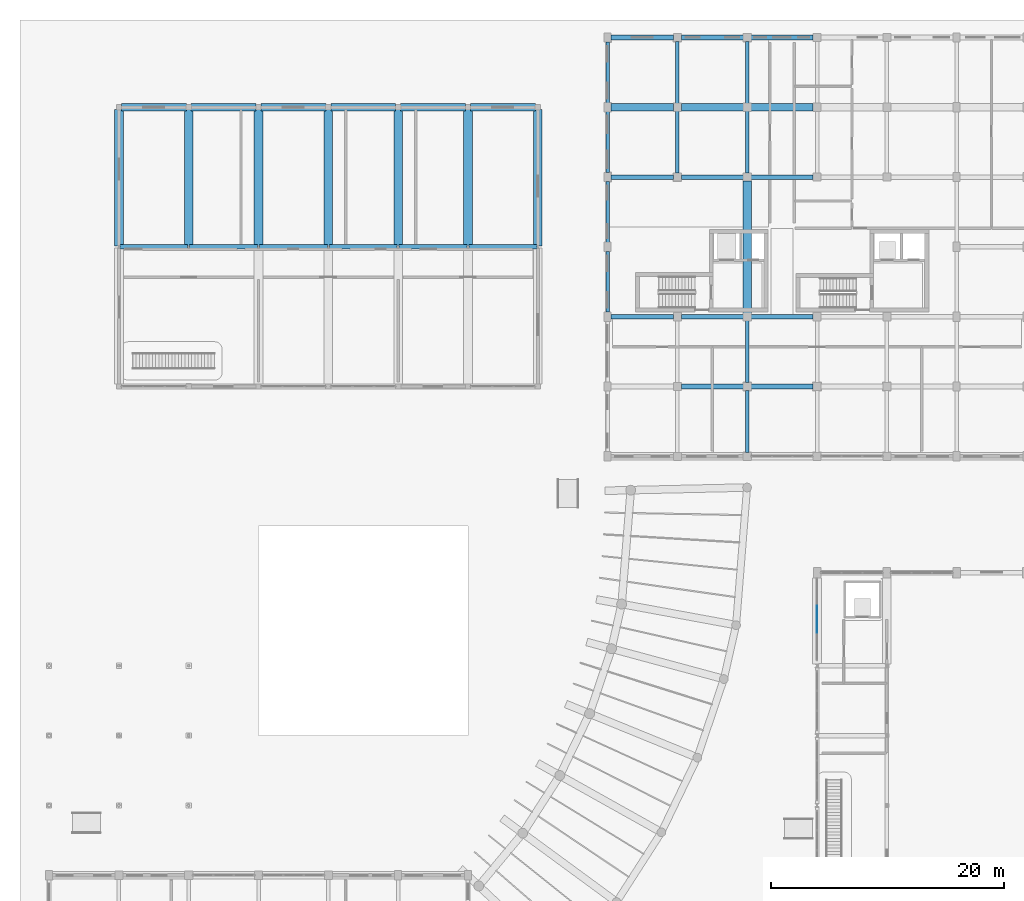
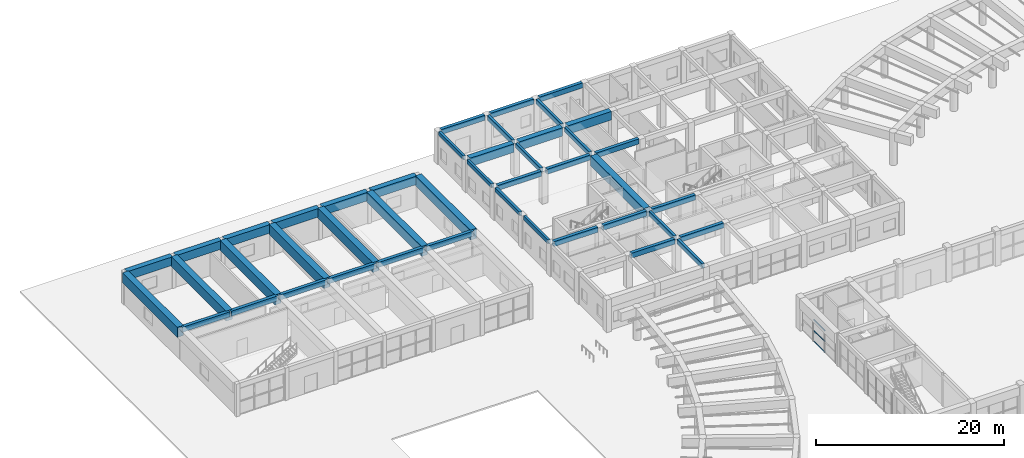
# One storey, part 24 of 76: 44 beams, 3 members, 1 element without a shape of its own.
"""IFC4 building model written with IfcOpenShell, lengths in metres."""

from ifc_helpers import new_model, si_unit, direction, frame, origin, origin_2d, place, context, subcontext, project, spatial, rectangle, extrude, material, layer, layer_set, material_profile, profile_set, type_object, element, aggregate, save


model = new_model("IFC4")

# Units and contexts
model_context = context("Model", 3, precision=1e-05, world=origin(), true_north=direction((0.0, 1.0)))
body_context = subcontext(model_context, "Body", "Model", "MODEL_VIEW")
ifc_project = project(units=[si_unit("LENGTHUNIT", "METRE"), si_unit("AREAUNIT", "SQUARE_METRE"), si_unit("VOLUMEUNIT", "CUBIC_METRE"), si_unit("PLANEANGLEUNIT", "RADIAN"), si_unit("MASSUNIT", "GRAM", prefix="KILO"), si_unit("POWERUNIT", "WATT"), si_unit("THERMODYNAMICTEMPERATUREUNIT", "KELVIN")], contexts=[model_context])

# Site, building, storey
site_placement = place(None, origin())
site = spatial("IfcSite", under=ifc_project, at=site_placement, CompositionType="ELEMENT")
building_placement = place(site_placement, origin())
building = spatial("IfcBuilding", under=site, at=building_placement, Name="Ruvembo Vaulted Housing Court", CompositionType="ELEMENT")
storey_placement = place(building_placement, origin())
storey = spatial("IfcBuildingStorey", under=building, at=storey_placement, Name="L00", CompositionType="ELEMENT", Elevation=0.0)

# Beams
ifc_material_1 = material(Name="Concrete C35/45", Category="concrete")
ifc_material_profile_1 = material_profile(ifc_material_1, rectangle(XDim=0.300048828125, YDim=0.60009765625, at=origin_2d()), Name="RC 300x600")
ifc_profile_set_1 = profile_set([ifc_material_profile_1], Name="Concrete C35/45")
beam_type_1 = type_object("IfcBeamType", Name="BM-RC-300x600", PredefinedType="BEAM", material=ifc_profile_set_1)
for number, where, z_axis, x_axis, name in (
    (1, (54.0, 102.3349609375, 3.929931640625), (0.0, 1.0, 0.0), (-1.0, 0.0, 0.0), "L00 Grid Beam Y #1000"),
    (2, (54.0, 108.3349609375, 3.929931640625), (0.0, 1.0, 0.0), (-1.0, 0.0, 0.0), "L00 Grid Beam Y #1001"),
    (3, (60.0, 78.3349609375, 3.929931640625), (0.0, 1.0, 0.0), (-1.0, 0.0, 0.0), "L00 Grid Beam Y #1002"),
    (4, (60.0, 84.3349609375, 3.929931640625), (0.0, 1.0, 0.0), (-1.0, 0.0, 0.0), "L00 Grid Beam Y #1003"),
    (5, (60.0, 102.3349609375, 3.929931640625), (0.0, 1.0, 0.0), (-1.0, 0.0, 0.0), "L00 Grid Beam Y #1005"),
    (6, (60.0, 108.3349609375, 3.929931640625), (0.0, 1.0, 0.0), (-1.0, 0.0, 0.0), "L00 Grid Beam Y #1006"),
):
    element("IfcBeam", number, at=place(storey_placement, frame(where, z_axis=z_axis, x_axis=x_axis)), inside=storey, type_object=beam_type_1, Name=name, PredefinedType="BEAM", context=body_context, shape_type="SweptSolid", body=[
        extrude(rectangle(XDim=0.300048828125, YDim=0.60009765625, at=origin_2d()), origin(), (0.0, 0.0, 1.0), 5.330078125),
    ])
ifc_material_profile_2 = material_profile(ifc_material_1, rectangle(XDim=0.39990234375, YDim=0.64990234375, at=origin_2d()), Name="RC 400x650")
ifc_profile_set_2 = profile_set([ifc_material_profile_2], Name="Concrete C35/45")
beam_type_2 = type_object("IfcBeamType", Name="BM-RC-400x650", PredefinedType="BEAM", material=ifc_profile_set_2)
for number, where, z_axis, x_axis, name in (
    (7, (54.3349609375, 84.0, 3.905029296875), (1.0, 0.0, 0.0), (0.0, 1.0, 0.0), "L00 Grid Beam X #877"),
    (8, (60.3349609375, 84.0, 3.905029296875), (1.0, 0.0, 0.0), (0.0, 1.0, 0.0), "L00 Grid Beam X #878"),
):
    element("IfcBeam", number, at=place(storey_placement, frame(where, z_axis=z_axis, x_axis=x_axis)), inside=storey, type_object=beam_type_2, Name=name, PredefinedType="BEAM", context=body_context, shape_type="SweptSolid", body=[
        extrude(rectangle(XDim=0.39990234375, YDim=0.64990234375, at=origin_2d()), origin(), (0.0, 0.0, 1.0), 5.330078125),
    ])
beam_1_placement = place(storey_placement, frame((48.284912109375, 90.0, 3.905029296875), z_axis=(1.0, 0.0, 0.0), x_axis=(0.0, 1.0, 0.0)))
element("IfcBeam", 9, at=beam_1_placement, inside=storey, type_object=beam_type_2, Name="L00 Grid Beam X #888", PredefinedType="BEAM", context=body_context, shape_type="SweptSolid", body=[
    extrude(rectangle(XDim=0.39990234375, YDim=0.64990234375, at=origin_2d()), origin(), (0.0, 0.0, 1.0), 5.380126953125),
])
for number, where, z_axis, x_axis, name in (
    (10, (54.3349609375, 90.0, 3.905029296875), (1.0, 0.0, 0.0), (0.0, 1.0, 0.0), "L00 Grid Beam X #889"),
    (11, (60.3349609375, 90.0, 3.905029296875), (1.0, 0.0, 0.0), (0.0, 1.0, 0.0), "L00 Grid Beam X #890"),
):
    element("IfcBeam", number, at=place(storey_placement, frame(where, z_axis=z_axis, x_axis=x_axis)), inside=storey, type_object=beam_type_2, Name=name, PredefinedType="BEAM", context=body_context, shape_type="SweptSolid", body=[
        extrude(rectangle(XDim=0.39990234375, YDim=0.64990234375, at=origin_2d()), origin(), (0.0, 0.0, 1.0), 5.330078125),
    ])
for number, where, z_axis, x_axis, name in (
    (12, (6.0849609375, 96.0, 3.905029296875), (1.0, 0.0, 0.0), (0.0, 1.0, 0.0), "L00 Grid Beam X #895"),
    (13, (12.0849609375, 96.0, 3.905029296875), (1.0, 0.0, 0.0), (0.0, 1.0, 0.0), "L00 Grid Beam X #896"),
    (14, (18.0849609375, 96.0, 3.905029296875), (1.0, 0.0, 0.0), (0.0, 1.0, 0.0), "L00 Grid Beam X #897"),
    (15, (24.0849609375, 96.0, 3.905029296875), (1.0, 0.0, 0.0), (0.0, 1.0, 0.0), "L00 Grid Beam X #898"),
    (16, (30.0849609375, 96.0, 3.905029296875), (1.0, 0.0, 0.0), (0.0, 1.0, 0.0), "L00 Grid Beam X #899"),
    (17, (36.0849609375, 96.0, 3.905029296875), (1.0, 0.0, 0.0), (0.0, 1.0, 0.0), "L00 Grid Beam X #900"),
):
    element("IfcBeam", number, at=place(storey_placement, frame(where, z_axis=z_axis, x_axis=x_axis)), inside=storey, type_object=beam_type_2, Name=name, PredefinedType="BEAM", context=body_context, shape_type="SweptSolid", body=[
        extrude(rectangle(XDim=0.39990234375, YDim=0.64990234375, at=origin_2d()), origin(), (0.0, 0.0, 1.0), 5.830078125),
    ])
beam_2_placement = place(storey_placement, frame((48.284912109375, 102.0, 3.905029296875), z_axis=(1.0, 0.0, 0.0), x_axis=(0.0, 1.0, 0.0)))
element("IfcBeam", 18, at=beam_2_placement, inside=storey, type_object=beam_type_2, Name="L00 Grid Beam X #908", PredefinedType="BEAM", context=body_context, shape_type="SweptSolid", body=[
    extrude(rectangle(XDim=0.39990234375, YDim=0.64990234375, at=origin_2d()), origin(), (0.0, 0.0, 1.0), 5.380126953125),
])
for number, where, z_axis, x_axis, name in (
    (19, (54.3349609375, 102.0, 3.905029296875), (1.0, 0.0, 0.0), (0.0, 1.0, 0.0), "L00 Grid Beam X #909"),
    (20, (60.3349609375, 102.0, 3.905029296875), (1.0, 0.0, 0.0), (0.0, 1.0, 0.0), "L00 Grid Beam X #910"),
):
    element("IfcBeam", number, at=place(storey_placement, frame(where, z_axis=z_axis, x_axis=x_axis)), inside=storey, type_object=beam_type_2, Name=name, PredefinedType="BEAM", context=body_context, shape_type="SweptSolid", body=[
        extrude(rectangle(XDim=0.39990234375, YDim=0.64990234375, at=origin_2d()), origin(), (0.0, 0.0, 1.0), 5.330078125),
    ])
beam_3_placement = place(storey_placement, frame((48.284912109375, 114.0, 3.905029296875), z_axis=(1.0, 0.0, 0.0), x_axis=(0.0, 1.0, 0.0)))
element("IfcBeam", 21, at=beam_3_placement, inside=storey, type_object=beam_type_2, Name="L00 Grid Beam X #938", PredefinedType="BEAM", context=body_context, shape_type="SweptSolid", body=[
    extrude(rectangle(XDim=0.39990234375, YDim=0.64990234375, at=origin_2d()), origin(), (0.0, 0.0, 1.0), 5.380126953125),
])
for number, where, z_axis, x_axis, name in (
    (22, (54.3349609375, 114.0, 3.905029296875), (1.0, 0.0, 0.0), (0.0, 1.0, 0.0), "L00 Grid Beam X #939"),
    (23, (60.3349609375, 114.0, 3.905029296875), (1.0, 0.0, 0.0), (0.0, 1.0, 0.0), "L00 Grid Beam X #940"),
):
    element("IfcBeam", number, at=place(storey_placement, frame(where, z_axis=z_axis, x_axis=x_axis)), inside=storey, type_object=beam_type_2, Name=name, PredefinedType="BEAM", context=body_context, shape_type="SweptSolid", body=[
        extrude(rectangle(XDim=0.39990234375, YDim=0.64990234375, at=origin_2d()), origin(), (0.0, 0.0, 1.0), 5.330078125),
    ])

# Curtain wall, members
ifc_material_2 = material(Name="Anodised Aluminium and Solar-Control Glass", Category="aluminium")
ifc_layer = layer(ifc_material_2, 0.179931640625, Name="Anodised Aluminium and Solar-Control Glass")
ifc_layer_set = layer_set([ifc_layer], Name="Anodised Aluminium and Solar-Control Glass")
curtain_wall_type = type_object("IfcCurtainWallType", Name="CW-HALL-TYMP", PredefinedType="NOTDEFINED", material=ifc_layer_set)
curtain_wall_placement = place(storey_placement, origin())
curtain_wall = element("IfcCurtainWall", 24, at=curtain_wall_placement, inside=storey, type_object=curtain_wall_type, Name="L00 Curtain Wall CW-L00-0119", PredefinedType="NOTDEFINED")
ifc_material_3 = material(Name="Anodised Aluminium 6063-T6", Category="aluminium")
ifc_material_profile_3 = material_profile(ifc_material_3, rectangle(XDim=0.06005859375, YDim=0.10009765625, at=origin_2d()), Name="ALU 60x100")
ifc_profile_set_3 = profile_set([ifc_material_profile_3], Name="Anodised Aluminium 6063-T6")
member_type = type_object("IfcMemberType", Name="CW-TRN-60x100", PredefinedType="USERDEFINED", material=ifc_profile_set_3)
member_1_placement = place(storey_placement, frame((66.0, 62.84423828125, 0.030029296875), z_axis=(0.0, 1.0, 0.0), x_axis=(-1.0, 0.0, 0.0)))
member_1 = element("IfcMember", 25, at=member_1_placement, type_object=member_type, Name="CW2 transom 2.1", ObjectType="TRANSOM", PredefinedType="USERDEFINED", context=body_context, shape_type="SweptSolid", body=[
    extrude(rectangle(XDim=0.06005859375, YDim=0.10009765625, at=origin_2d()), origin(), (0.0, 0.0, 1.0), 2.3115234375),
])
member_2_placement = place(storey_placement, frame((66.0, 62.84423828125, 1.430908203125), z_axis=(0.0, 1.0, 0.0), x_axis=(-1.0, 0.0, 0.0)))
member_2 = element("IfcMember", 26, at=member_2_placement, type_object=member_type, Name="CW2 transom 2.2", ObjectType="TRANSOM", PredefinedType="USERDEFINED", context=body_context, shape_type="SweptSolid", body=[
    extrude(rectangle(XDim=0.06005859375, YDim=0.10009765625, at=origin_2d()), origin(), (0.0, 0.0, 1.0), 2.3115234375),
])
member_3_placement = place(storey_placement, frame((66.0, 62.84423828125, 2.83203125), z_axis=(0.0, 1.0, 0.0), x_axis=(-1.0, 0.0, 0.0)))
member_3 = element("IfcMember", 27, at=member_3_placement, type_object=member_type, Name="CW2 transom 2.3", ObjectType="TRANSOM", PredefinedType="USERDEFINED", context=body_context, shape_type="SweptSolid", body=[
    extrude(rectangle(XDim=0.06005859375, YDim=0.10009765625, at=origin_2d()), origin(), (0.0, 0.0, 1.0), 2.3115234375),
])
aggregate(curtain_wall, [member_1, member_2, member_3])

# Beams
ifc_material_profile_4 = material_profile(ifc_material_1, rectangle(XDim=0.300048828125, YDim=0.5, at=origin_2d()), Name="RC 300x500")
ifc_profile_set_4 = profile_set([ifc_material_profile_4], Name="Concrete C35/45")
beam_type_3 = type_object("IfcBeamType", Name="SP-RC-300x500", PredefinedType="SPANDREL", material=ifc_profile_set_4)
for number, where, z_axis, x_axis, name in (
    (28, (48.0, 90.385009765625, 3.97998046875), (0.0, 1.0, 0.0), (-1.0, 0.0, 0.0), "L00 Grid Beam Y #994"),
    (29, (48.0, 96.385009765625, 3.97998046875), (0.0, 1.0, 0.0), (-1.0, 0.0, 0.0), "L00 Grid Beam Y #995"),
    (30, (48.0, 102.385009765625, 3.97998046875), (0.0, 1.0, 0.0), (-1.0, 0.0, 0.0), "L00 Grid Beam Y #996"),
    (31, (48.0, 108.385009765625, 3.97998046875), (0.0, 1.0, 0.0), (-1.0, 0.0, 0.0), "L00 Grid Beam Y #997"),
):
    element("IfcBeam", number, at=place(storey_placement, frame(where, z_axis=z_axis, x_axis=x_axis)), inside=storey, type_object=beam_type_3, Name=name, PredefinedType="SPANDREL", context=body_context, shape_type="SweptSolid", body=[
        extrude(rectangle(XDim=0.300048828125, YDim=0.5, at=origin_2d()), origin(), (0.0, 0.0, 1.0), 5.22998046875),
    ])
ifc_material_4 = material(Name="Concrete C40/50", Category="concrete")
ifc_material_profile_5 = material_profile(ifc_material_4, rectangle(XDim=0.64990234375, YDim=1.10009765625, at=origin_2d()), Name="RC 650x1100")
ifc_profile_set_5 = profile_set([ifc_material_profile_5], Name="Concrete C40/50")
beam_type_4 = type_object("IfcBeamType", Name="TB-RC-650x1100", PredefinedType="BEAM", material=ifc_profile_set_5)
for number, where, z_axis, x_axis, name in (
    (32, (6.2099609375, 108.0, 3.679931640625), (1.0, 0.0, 0.0), (0.0, 1.0, 0.0), "L00 Grid Beam X #920"),
    (33, (12.2099609375, 108.0, 3.679931640625), (1.0, 0.0, 0.0), (0.0, 1.0, 0.0), "L00 Grid Beam X #921"),
    (34, (18.2099609375, 108.0, 3.679931640625), (1.0, 0.0, 0.0), (0.0, 1.0, 0.0), "L00 Grid Beam X #922"),
    (35, (24.2099609375, 108.0, 3.679931640625), (1.0, 0.0, 0.0), (0.0, 1.0, 0.0), "L00 Grid Beam X #923"),
    (36, (30.2099609375, 108.0, 3.679931640625), (1.0, 0.0, 0.0), (0.0, 1.0, 0.0), "L00 Grid Beam X #924"),
    (37, (36.2099609375, 108.0, 3.679931640625), (1.0, 0.0, 0.0), (0.0, 1.0, 0.0), "L00 Grid Beam X #925"),
):
    element("IfcBeam", number, at=place(storey_placement, frame(where, z_axis=z_axis, x_axis=x_axis)), inside=storey, type_object=beam_type_4, Name=name, PredefinedType="BEAM", context=body_context, shape_type="SweptSolid", body=[
        extrude(rectangle(XDim=0.64990234375, YDim=1.10009765625, at=origin_2d()), origin(), (0.0, 0.0, 1.0), 5.580078125),
    ])
beam_4_placement = place(storey_placement, frame((48.284912109375, 108.0, 3.679931640625), z_axis=(1.0, 0.0, 0.0), x_axis=(0.0, 1.0, 0.0)))
element("IfcBeam", 38, at=beam_4_placement, inside=storey, type_object=beam_type_4, Name="L00 Grid Beam X #926", PredefinedType="BEAM", context=body_context, shape_type="SweptSolid", body=[
    extrude(rectangle(XDim=0.64990234375, YDim=1.10009765625, at=origin_2d()), origin(), (0.0, 0.0, 1.0), 5.380126953125),
])
for number, where, z_axis, x_axis, name in (
    (39, (54.3349609375, 108.0, 3.679931640625), (1.0, 0.0, 0.0), (0.0, 1.0, 0.0), "L00 Grid Beam X #927"),
    (40, (60.3349609375, 108.0, 3.679931640625), (1.0, 0.0, 0.0), (0.0, 1.0, 0.0), "L00 Grid Beam X #928"),
):
    element("IfcBeam", number, at=place(storey_placement, frame(where, z_axis=z_axis, x_axis=x_axis)), inside=storey, type_object=beam_type_4, Name=name, PredefinedType="BEAM", context=body_context, shape_type="SweptSolid", body=[
        extrude(rectangle(XDim=0.64990234375, YDim=1.10009765625, at=origin_2d()), origin(), (0.0, 0.0, 1.0), 5.330078125),
    ])
ifc_material_profile_6 = material_profile(ifc_material_4, rectangle(XDim=0.75, YDim=1.300048828125, at=origin_2d()), Name="RC 750x1300")
ifc_profile_set_6 = profile_set([ifc_material_profile_6], Name="Concrete C40/50")
beam_type_5 = type_object("IfcBeamType", Name="TB-RC-750x1300", PredefinedType="BEAM", material=ifc_profile_set_6)
for number, where, z_axis, x_axis, name in (
    (41, (6.0, 96.0849609375, 3.580078125), (0.0, 1.0, 0.0), (-1.0, 0.0, 0.0), "L00 Grid Beam Y #955"),
    (42, (12.0, 96.0849609375, 3.580078125), (0.0, 1.0, 0.0), (-1.0, 0.0, 0.0), "L00 Grid Beam Y #961"),
    (43, (18.0, 96.0849609375, 3.580078125), (0.0, 1.0, 0.0), (-1.0, 0.0, 0.0), "L00 Grid Beam Y #967"),
    (44, (24.0, 96.0849609375, 3.580078125), (0.0, 1.0, 0.0), (-1.0, 0.0, 0.0), "L00 Grid Beam Y #973"),
    (45, (30.0, 96.0849609375, 3.580078125), (0.0, 1.0, 0.0), (-1.0, 0.0, 0.0), "L00 Grid Beam Y #981"),
    (46, (36.0, 96.0849609375, 3.580078125), (0.0, 1.0, 0.0), (-1.0, 0.0, 0.0), "L00 Grid Beam Y #989"),
    (47, (42.0, 96.0849609375, 3.580078125), (0.0, 1.0, 0.0), (-1.0, 0.0, 0.0), "L00 Grid Beam Y #991"),
):
    element("IfcBeam", number, at=place(storey_placement, frame(where, z_axis=z_axis, x_axis=x_axis)), inside=storey, type_object=beam_type_5, Name=name, PredefinedType="BEAM", context=body_context, shape_type="SweptSolid", body=[
        extrude(rectangle(XDim=0.75, YDim=1.300048828125, at=origin_2d()), origin(), (0.0, 0.0, 1.0), 11.705078125),
    ])
beam_5_placement = place(storey_placement, frame((60.0, 90.3349609375, 3.580078125), z_axis=(0.0, 1.0, 0.0), x_axis=(-1.0, 0.0, 0.0)))
element("IfcBeam", 48, at=beam_5_placement, inside=storey, type_object=beam_type_5, Name="L00 Grid Beam Y #1004", PredefinedType="BEAM", context=body_context, shape_type="SweptSolid", body=[
    extrude(rectangle(XDim=0.75, YDim=1.300048828125, at=origin_2d()), origin(), (0.0, 0.0, 1.0), 11.330078125),
])

save(model, "model.ifc")
